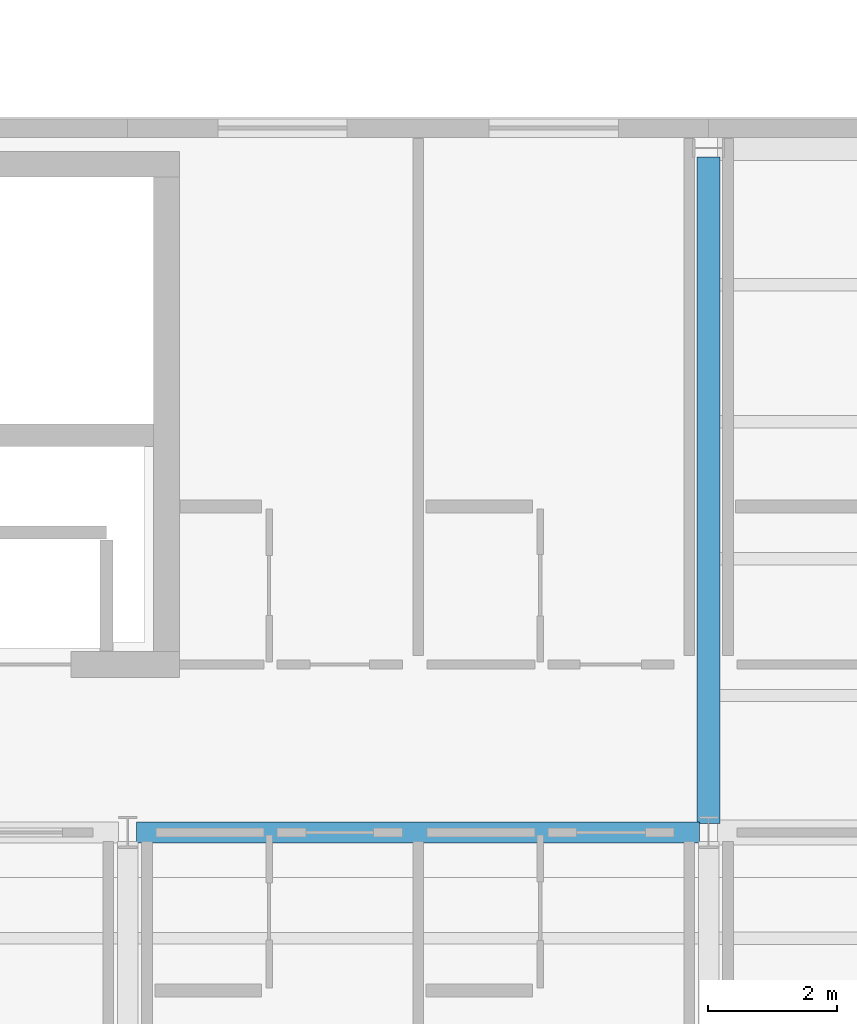
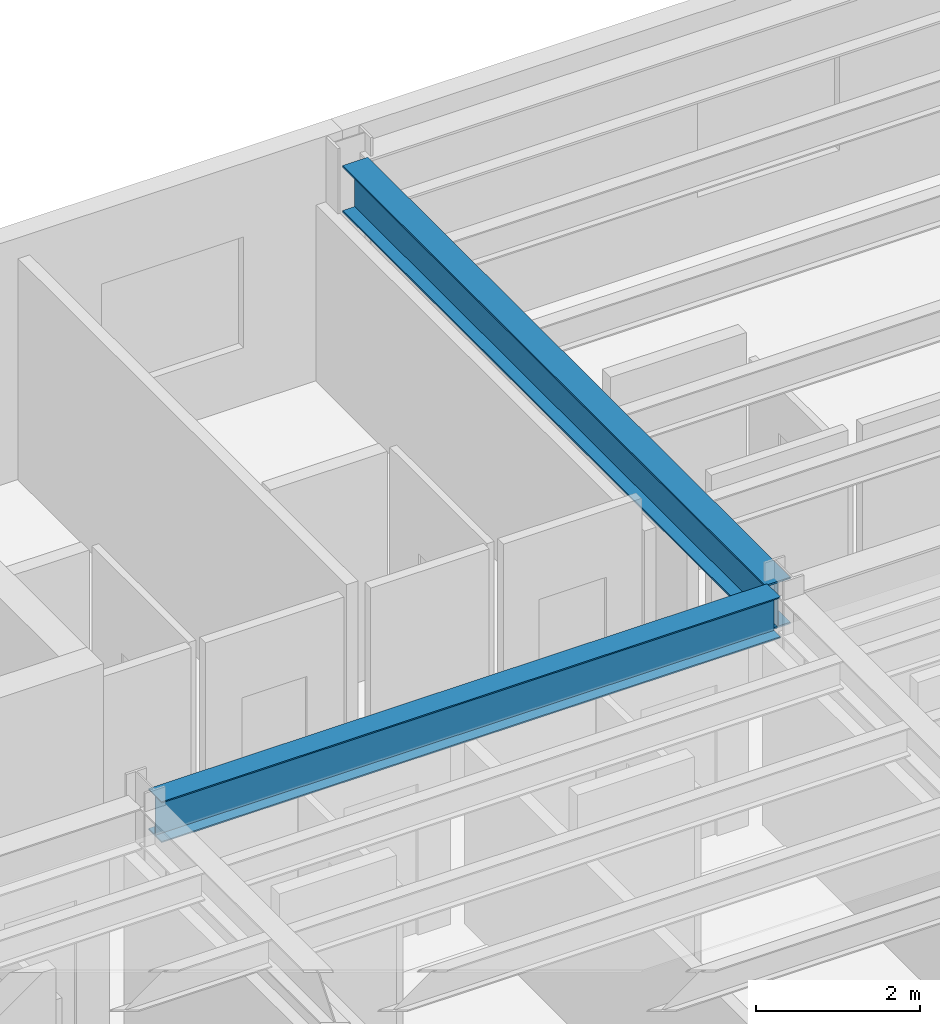
# One storey, part 8 of 19: 2 beams.
"""IFC4 building model written with IfcOpenShell, lengths in metres."""

from ifc_helpers import new_model, si_unit, direction, frame, origin, origin_2d, place, context, subcontext, project, spatial, i_section, extrude, material, material_profile, profile_set, type_object, element, save


model = new_model("IFC4")

# Units and contexts
model_context = context("Model", 3, precision=1e-05, world=origin(), true_north=direction((0.0, 1.0)))
body_context = subcontext(model_context, "Body", "Model", "MODEL_VIEW")
ifc_project = project(units=[si_unit("LENGTHUNIT", "METRE"), si_unit("AREAUNIT", "SQUARE_METRE"), si_unit("VOLUMEUNIT", "CUBIC_METRE"), si_unit("PLANEANGLEUNIT", "RADIAN"), si_unit("MASSUNIT", "GRAM", prefix="KILO")], contexts=[model_context])

# Site, building, storey
site_placement = place(None, origin())
site = spatial("IfcSite", under=ifc_project, at=site_placement, CompositionType="ELEMENT")
building_placement = place(site_placement, origin())
building = spatial("IfcBuilding", under=site, at=building_placement, Name="Sollismere Congress Hotel", CompositionType="ELEMENT")
storey_placement = place(building_placement, frame((0.0, 0.0, 44.60009765625)))
storey = spatial("IfcBuildingStorey", under=building, at=storey_placement, Name="L11", CompositionType="ELEMENT", Elevation=44.60009765625)

# Beams
ifc_material = material(Name="Steel ASTM A992 Grade 50", Category="steel")
ifc_material_profile_1 = material_profile(ifc_material, i_section(OverallWidth=0.324951171875, OverallDepth=0.612060546875, WebThickness=0.0126953125, FlangeThickness=0.01904296875, at=origin_2d()), Name="W24X104")
ifc_profile_set_1 = profile_set([ifc_material_profile_1], Name="Steel ASTM A992 Grade 50")
beam_type_1 = type_object("IfcBeamType", Name="BM-G24", PredefinedType="BEAM", material=ifc_profile_set_1)
beam_1_placement = place(storey_placement, frame((103.139892578125, 8.199951171875, 3.018798828125), z_axis=(1.0, 0.0, 0.0), x_axis=(0.0, 1.0, 0.0)))
element("IfcBeam", 1, at=beam_1_placement, inside=storey, type_object=beam_type_1, Name="Beam BM-L11-3750", PredefinedType="BEAM", context=body_context, shape_type="SweptSolid", body=[
    extrude(i_section(OverallWidth=0.324951171875, OverallDepth=0.612060546875, WebThickness=0.0126953125, FlangeThickness=0.01904296875, at=origin_2d()), origin(), (0.0, 0.0, 1.0), 8.72021484375),
])
ifc_material_profile_2 = material_profile(ifc_material, i_section(OverallWidth=0.35595703125, OverallDepth=0.696044921875, WebThickness=0.015380859375, FlangeThickness=0.025146484375, at=origin_2d()), Name="W27X146")
ifc_profile_set_2 = profile_set([ifc_material_profile_2], Name="Steel ASTM A992 Grade 50")
beam_type_2 = type_object("IfcBeamType", Name="BM-G27", PredefinedType="BEAM", material=ifc_profile_set_2)
beam_2_placement = place(storey_placement, frame((112.0, 8.340087890625, 2.976806640625), z_axis=(0.0, 1.0, 0.0), x_axis=(-1.0, 0.0, 0.0)))
element("IfcBeam", 2, at=beam_2_placement, inside=storey, type_object=beam_type_2, Name="Beam BM-L11-3767", PredefinedType="BEAM", context=body_context, shape_type="SweptSolid", body=[
    extrude(i_section(OverallWidth=0.35595703125, OverallDepth=0.696044921875, WebThickness=0.015380859375, FlangeThickness=0.025146484375, at=origin_2d()), origin(), (0.0, 0.0, 1.0), 10.31982421875),
])

save(model, "model.ifc")
